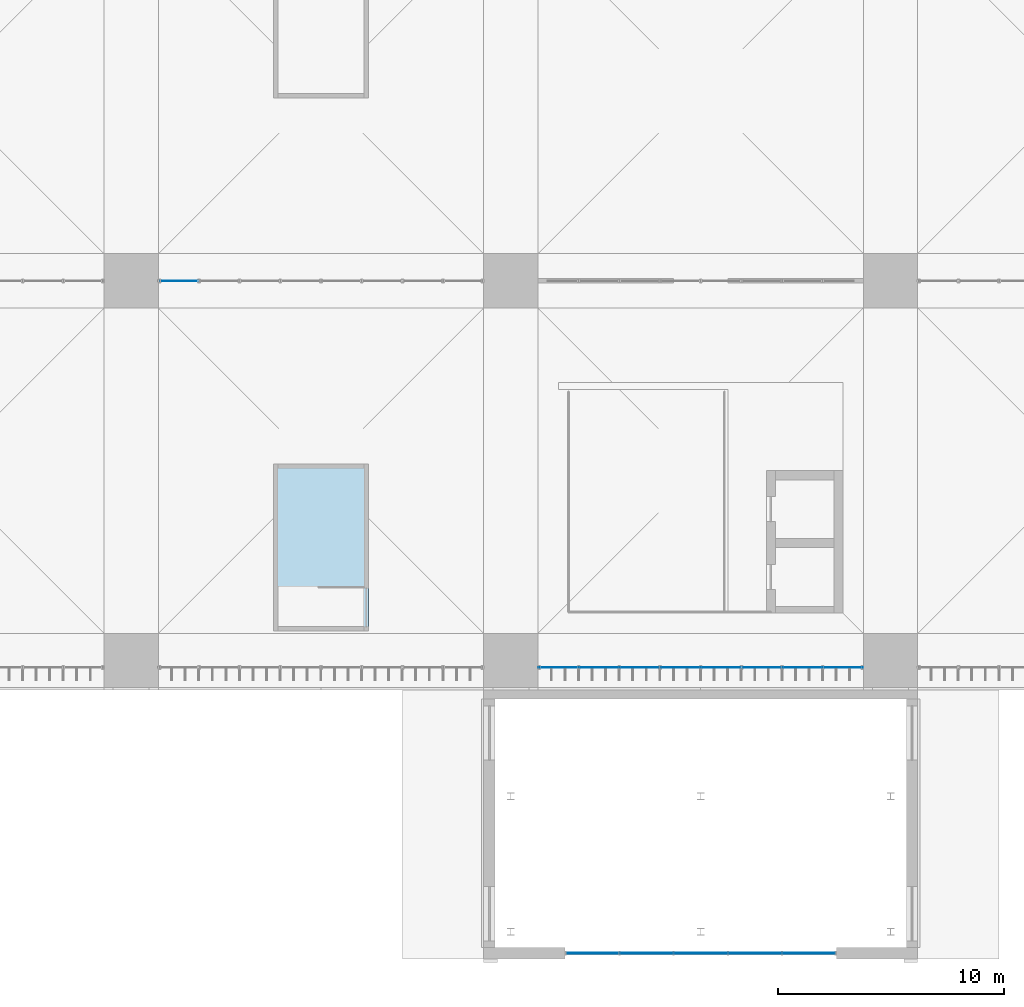
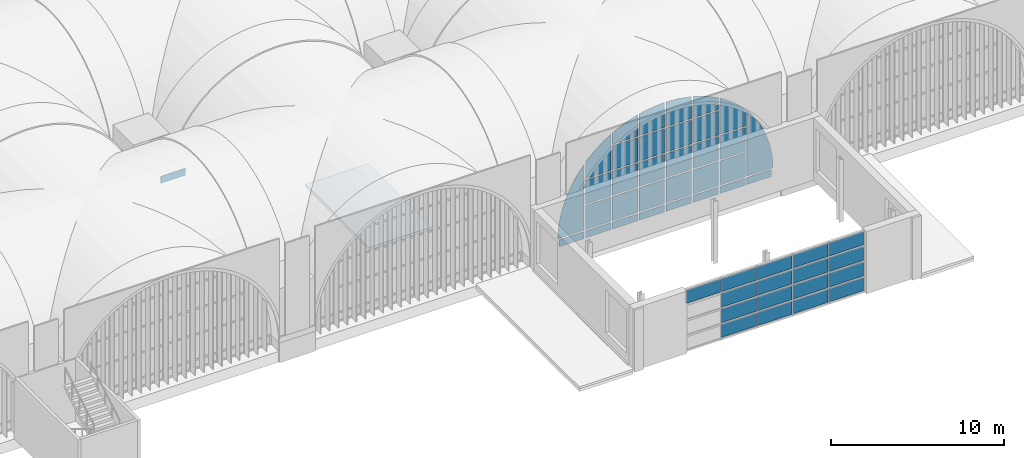
# One storey, part 81 of 169: 50 plates, 1 slab, 3 elements without a shape of their own.
"""IFC4 building model written with IfcOpenShell, lengths in metres."""

import ifcopenshell
import ifcopenshell.guid

model = None  # the IFC model being written
_history = None  # IfcOwnerHistory: only IFC2X3 demands one
_inside = {}  # id of a spatial element -> (the spatial element, [elements in it])
_under = {}  # id of a project, library or spatial element -> (it, [spatial elements below it])
_declared = {}  # id of a project -> (the project, [libraries it declares])
_typed = {}  # id of a type object -> (the type object, [elements of that type])
_made_of = {}  # id of a material, layer set ... -> (it, [elements and type objects made of it])


def new_model(schema):
    """Start an empty IFC model of exactly this schema.

    Asked for "IFC4X3", IfcOpenShell would pick the latest addendum, in which some entities
    have other attributes; the version numbers below select the first issue.
    IFC2X3 requires an IfcOwnerHistory on every rooted entity: one is made here for all.
    """
    global model, _history
    if schema == "IFC4X3":
        model = ifcopenshell.file(schema_version=(4, 3, 0, 0))
    else:
        model = ifcopenshell.file(schema=schema)
    _inside.clear()
    _under.clear()
    _declared.clear()
    _typed.clear()
    _made_of.clear()
    _history = None
    if model.schema == "IFC2X3":
        org = make("IfcOrganization", Name="unknown")
        user = make(
            "IfcPersonAndOrganization",
            ThePerson=make("IfcPerson", FamilyName="unknown"),
            TheOrganization=org,
        )
        app = make(
            "IfcApplication",
            ApplicationDeveloper=org,
            Version="unknown",
            ApplicationFullName="unknown",
            ApplicationIdentifier="unknown",
        )
        _history = make(
            "IfcOwnerHistory",
            OwningUser=user,
            OwningApplication=app,
            ChangeAction="ADDED",
            CreationDate=0,
        )
    return model


def make(cls, **values):
    """One entity of the class cls with the attributes given. An attribute that is None is left unset."""
    return model.create_entity(
        cls, **{name: value for name, value in values.items() if value is not None}
    )


def rooted(cls, **values):
    """An entity with a GlobalId (a new one), such as an element, a storey or a relation."""
    return make(cls, GlobalId=ifcopenshell.guid.new(), OwnerHistory=_history, **values)


def si_unit(unit_type, name, prefix=None):
    """IfcSIUnit, for example si_unit("LENGTHUNIT", "METRE", prefix="MILLI")."""
    return make("IfcSIUnit", UnitType=unit_type, Prefix=prefix, Name=name)


def assignment(units):
    """IfcUnitAssignment: the units of a project."""
    return None if units is None else make("IfcUnitAssignment", Units=units)


def point(xyz):
    """IfcCartesianPoint."""
    return None if xyz is None else make("IfcCartesianPoint", Coordinates=xyz)


def direction(xyz):
    """IfcDirection."""
    return None if xyz is None else make("IfcDirection", DirectionRatios=xyz)


def frame(location, z_axis=None, x_axis=None):
    """IfcAxis2Placement3D, a coordinate frame: its origin and axes. An axis left out is left unset."""
    return make(
        "IfcAxis2Placement3D",
        Location=point(location),
        Axis=direction(z_axis),
        RefDirection=direction(x_axis),
    )


def frame_2d(location, x_axis=None):
    """IfcAxis2Placement2D, a coordinate frame in the plane: its origin and x axis."""
    return make(
        "IfcAxis2Placement2D", Location=point(location), RefDirection=direction(x_axis)
    )


def origin():
    """The frame at (0, 0, 0) with its axes left unset."""
    return frame((0.0, 0.0, 0.0))


def origin_2d():
    """The frame at (0, 0) in the plane with its x axis left unset."""
    return frame_2d((0.0, 0.0))


def place(relative_to, where):
    """IfcLocalPlacement: puts the frame where relative to a parent placement (None: the world)."""
    return make(
        "IfcLocalPlacement", PlacementRelTo=relative_to, RelativePlacement=where
    )


def context(
    kind, dimensions, precision=None, world=None, true_north=None, identifier=None
):
    """IfcGeometricRepresentationContext, for example the 3D "Model" context."""
    return make(
        "IfcGeometricRepresentationContext",
        ContextIdentifier=identifier,
        ContextType=kind,
        CoordinateSpaceDimension=dimensions,
        Precision=precision,
        WorldCoordinateSystem=world,
        TrueNorth=true_north,
    )


def subcontext(parent, identifier, kind, view, scale=None):
    """IfcGeometricRepresentationSubContext, for example "Body" below "Model"."""
    return make(
        "IfcGeometricRepresentationSubContext",
        ContextIdentifier=identifier,
        ContextType=kind,
        ParentContext=parent,
        TargetScale=scale,
        TargetView=view,
    )


def project(units=None, contexts=None):
    """IfcProject with its units and contexts."""
    return rooted(
        "IfcProject",
        Name="project",
        RepresentationContexts=contexts,
        UnitsInContext=assignment(units),
    )


def spatial(cls, under=None, at=None, **own):
    """A site, building, storey or space (cls), placed at a placement, below another one or the project."""
    s = rooted(cls, ObjectPlacement=at, **own)
    if under is not None:
        _under.setdefault(under.id(), (under, []))[1].append(s)
    return s


def polyline(points):
    """IfcPolyline through the points."""
    return make("IfcPolyline", Points=[point(p) for p in points])


def profile(cls, at=None, kind="AREA", **sizes):
    """A parametric profile (cls). Its sizes go by their IFC names, for example OverallWidth=200.0."""
    return make(cls, ProfileType=kind, Position=at, **sizes)


def rectangle(**sizes):
    """IfcRectangleProfileDef."""
    return profile("IfcRectangleProfileDef", **sizes)


def outline(outer, holes=None, kind="AREA"):
    """IfcArbitraryClosedProfileDef: a profile drawn as a closed curve; with holes, ...WithVoids."""
    if holes is None:
        return make("IfcArbitraryClosedProfileDef", ProfileType=kind, OuterCurve=outer)
    return make(
        "IfcArbitraryProfileDefWithVoids",
        ProfileType=kind,
        OuterCurve=outer,
        InnerCurves=holes,
    )


def extrude(swept, where, along, depth):
    """IfcExtrudedAreaSolid: the profile swept, set in the frame where, extruded along a direction by depth."""
    return make(
        "IfcExtrudedAreaSolid",
        SweptArea=swept,
        Position=where,
        ExtrudedDirection=direction(along),
        Depth=depth,
    )


def shape(context_of_items, identifier, shape_type, items):
    """IfcShapeRepresentation: the items that make up one representation, for example the "Body"."""
    return make(
        "IfcShapeRepresentation",
        ContextOfItems=context_of_items,
        RepresentationIdentifier=identifier,
        RepresentationType=shape_type,
        Items=items,
    )


def material(Name=None, Category=None):
    """IfcMaterial."""
    return make("IfcMaterial", Name=Name, Category=Category)


def layer(
    of_material, thickness, ventilated=None, Name=None, Category=None, Priority=None
):
    """IfcMaterialLayer: one layer of a wall or slab, of a material (None: an air gap)."""
    return make(
        "IfcMaterialLayer",
        Material=of_material,
        LayerThickness=thickness,
        IsVentilated=ventilated,
        Name=Name,
        Category=Category,
        Priority=Priority,
    )


def layer_set(layers, Name=None):
    """IfcMaterialLayerSet."""
    return make("IfcMaterialLayerSet", MaterialLayers=layers, LayerSetName=Name)


def made_of(thing, what):
    """Note that an element or type object is made of a material, layer set ...; save() writes the relation."""
    if what is not None:
        _made_of.setdefault(what.id(), (what, []))[1].append(thing)
    return thing


def type_object(cls, material=None, **own):
    """A type object (cls), such as IfcWallType, which elements share."""
    return made_of(rooted(cls, **own), material)


def element(
    cls,
    number,
    at=None,
    inside=None,
    cuts=None,
    type_object=None,
    material=None,
    context=None,
    identifier="Body",
    shape_type=None,
    held_by="IfcProductDefinitionShape",
    body=None,
    shapes=None,
    **own,
):
    """One element of the class cls, such as IfcWall. Its Tag is "e" and its number.

    at: its placement. inside: the storey or other place that contains it. cuts: it is an
    opening in that element (IfcRelVoidsElement). A single representation is given by context,
    identifier, shape_type and body (its items); several are given by shapes. held_by: the class
    of the entity that holds the representations. save() writes the other relations.
    """
    e = rooted(cls, Tag="e%d" % number, ObjectPlacement=at, **own)
    if body is not None:
        shapes = [shape(context, identifier, shape_type, body)]
    if shapes is not None:
        e.Representation = make(held_by, Representations=shapes)
    if inside is not None:
        _inside.setdefault(inside.id(), (inside, []))[1].append(e)
    if cuts is not None:
        rooted(
            "IfcRelVoidsElement", RelatingBuildingElement=cuts, RelatedOpeningElement=e
        )
    if type_object is not None:
        _typed.setdefault(type_object.id(), (type_object, []))[1].append(e)
    return made_of(e, material)


def aggregate(whole, parts):
    """IfcRelAggregates: a whole, such as a stair, and the parts it consists of."""
    return rooted("IfcRelAggregates", RelatingObject=whole, RelatedObjects=parts)


def save(model, path):
    """Write the relations noted so far, then the file.

    IfcRelAggregates (storeys below a building ...), IfcRelContainedInSpatialStructure (elements
    in a storey), IfcRelDefinesByType, IfcRelAssociatesMaterial and IfcRelDeclares: one each for
    every whole, place, type object, material and project.
    """
    for whole, parts in _under.values():
        aggregate(whole, parts)
    for where, things in _inside.values():
        rooted(
            "IfcRelContainedInSpatialStructure",
            RelatedElements=things,
            RelatingStructure=where,
        )
    for kind, things in _typed.values():
        rooted("IfcRelDefinesByType", RelatedObjects=things, RelatingType=kind)
    for what, things in _made_of.values():
        rooted("IfcRelAssociatesMaterial", RelatedObjects=things, RelatingMaterial=what)
    for by, libraries in _declared.values():
        rooted("IfcRelDeclares", RelatingContext=by, RelatedDefinitions=libraries)
    model.write(path)


model = new_model("IFC4")

# Units and contexts
model_context = context("Model", 3, precision=1e-05, world=origin(), true_north=direction((0.0, 1.0)))
body_context = subcontext(model_context, "Body", "Model", "MODEL_VIEW")
ifc_project = project(units=[si_unit("LENGTHUNIT", "METRE"), si_unit("AREAUNIT", "SQUARE_METRE"), si_unit("VOLUMEUNIT", "CUBIC_METRE"), si_unit("PLANEANGLEUNIT", "RADIAN"), si_unit("MASSUNIT", "GRAM", prefix="KILO")], contexts=[model_context])

# Site, building, storey
site_placement = place(None, origin())
site = spatial("IfcSite", under=ifc_project, at=site_placement, CompositionType="ELEMENT")
building_placement = place(site_placement, origin())
building = spatial("IfcBuilding", under=site, at=building_placement, Name="Verrick Yard Athletic Hall", CompositionType="ELEMENT")
storey_placement = place(building_placement, frame((0.0, 0.0, 4.39990234375)))
storey = spatial("IfcBuildingStorey", under=building, at=storey_placement, Name="L01", CompositionType="ELEMENT", Elevation=4.39990234375)

# Slab
ifc_material_1 = material(Name="Concrete 35 MPa", Category="concrete")
ifc_layer_1 = layer(ifc_material_1, 0.199951171875)
ifc_layer_set_1 = layer_set([ifc_layer_1], Name="Core roof slab 200")
slab_type = type_object("IfcSlabType", Name="Core roof slab 200", PredefinedType="ROOF", material=ifc_layer_set_1)
slab_placement = place(storey_placement, frame((0.0, 0.0, 3.0)))
element("IfcSlab", 1, at=slab_placement, inside=storey, type_object=slab_type, Name="CORE-PS-S2-COVER", PredefinedType="ROOF", context=body_context, shape_type="SweptSolid", body=[
    extrude(outline(polyline([(79.89990234375, 20.5), (84.10009765625, 20.5), (84.10009765625, 27.89990234375), (79.89990234375, 27.89990234375), (79.89990234375, 20.5)])), origin(), (0.0, 0.0, 1.0), 0.2001953125),
])

# Curtain wall, plates
ifc_material_2 = material(Name="Aluminium and glass curtain wall", Category="aluminium")
ifc_layer_2 = layer(ifc_material_2, 0.14990234375)
ifc_layer_set_2 = layer_set([ifc_layer_2], Name="Arcade glazing arch")
curtain_wall_type_1 = type_object("IfcCurtainWallType", Name="Arcade glazing arch", PredefinedType="NOTDEFINED", material=ifc_layer_set_2)
curtain_wall_1_placement = place(storey_placement, origin())
curtain_wall_1 = element("IfcCurtainWall", 2, at=curtain_wall_1_placement, inside=storey, type_object=curtain_wall_type_1, Name="Arcade glazing S4", PredefinedType="NOTDEFINED")
ifc_material_3 = material(Name="Laminated glass 28 mm", Category="glass")
ifc_layer_3 = layer(ifc_material_3, 0.028076171875)
ifc_layer_set_3 = layer_set([ifc_layer_3], Name="Curtain wall glass panel")
plate_type_1 = type_object("IfcPlateType", Name="Curtain wall glass panel", PredefinedType="CURTAIN_PANEL", material=ifc_layer_set_3)
plate_1_placement = place(storey_placement, frame((91.60009765625, 18.89990234375, 0.101806640625), z_axis=(0.0, 0.0, 1.0), x_axis=(1.0, 0.0, 0.0)))
plate_1 = element("IfcPlate", 3, at=plate_1_placement, type_object=plate_type_1, Name="Arcade glazing S4 panel 1", PredefinedType="CURTAIN_PANEL", context=body_context, shape_type="SweptSolid", body=[
    extrude(outline(polyline([(1.749267578125, 0.0), (1.749267578125, 0.49755859375), (0.10205078125, 0.49755859375), (0.10205078125, 0.0), (1.749267578125, 0.0)])), frame((0.0, 0.01416015625, 0.0), z_axis=(0.0, -1.0, 0.0), x_axis=(1.0, 0.0, 0.0)), (0.0, 0.0, 1.0), 0.028076171875),
])
plate_2_placement = place(storey_placement, frame((91.60009765625, 18.89990234375, 0.700927734375), z_axis=(0.0, 0.0, 1.0), x_axis=(1.0, 0.0, 0.0)))
plate_2 = element("IfcPlate", 4, at=plate_2_placement, type_object=plate_type_1, Name="Arcade glazing S4 panel 2", PredefinedType="CURTAIN_PANEL", context=body_context, shape_type="SweptSolid", body=[
    extrude(outline(polyline([(1.749267578125, 4.651123046875), (1.6845703125, 4.5771484375), (1.48779296875, 4.332275390625), (1.302001953125, 4.078857421875), (1.127685546875, 3.81787109375), (0.964599609375, 3.549072265625), (0.8134765625, 3.273681640625), (0.674560546875, 2.9921875), (0.548095703125, 2.70458984375), (0.43408203125, 2.41162109375), (0.333251953125, 2.1142578125), (0.245361328125, 1.812744140625), (0.170654296875, 1.507568359375), (0.109375, 1.199462890625), (0.0615234375, 0.888916015625), (0.02734375, 0.57666015625), (0.0068359375, 0.26318359375), (0.001220703125, 0.0), (1.749267578125, 0.0), (1.749267578125, 4.651123046875)])), frame((0.0, 0.01416015625, 0.0), z_axis=(0.0, -1.0, 0.0), x_axis=(1.0, 0.0, 0.0)), (0.0, 0.0, 1.0), 0.028076171875),
])
plate_3_placement = place(storey_placement, frame((91.60009765625, 18.89990234375, 0.101806640625), z_axis=(0.0, 0.0, 1.0), x_axis=(1.0, 0.0, 0.0)))
plate_3 = element("IfcPlate", 5, at=plate_3_placement, type_object=plate_type_1, Name="Arcade glazing S4 panel 3", PredefinedType="CURTAIN_PANEL", context=body_context, shape_type="SweptSolid", body=[
    extrude(outline(polyline([(3.54931640625, 0.0), (3.54931640625, 0.49755859375), (1.850830078125, 0.49755859375), (1.850830078125, 0.0), (3.54931640625, 0.0)])), frame((0.0, 0.01416015625, 0.0), z_axis=(0.0, -1.0, 0.0), x_axis=(1.0, 0.0, 0.0)), (0.0, 0.0, 1.0), 0.028076171875),
])
plate_4_placement = place(storey_placement, frame((91.60009765625, 18.89990234375, 0.700927734375), z_axis=(0.0, 0.0, 1.0), x_axis=(1.0, 0.0, 0.0)))
plate_4 = element("IfcPlate", 6, at=plate_4_placement, type_object=plate_type_1, Name="Arcade glazing S4 panel 4", PredefinedType="CURTAIN_PANEL", context=body_context, shape_type="SweptSolid", body=[
    extrude(outline(polyline([(3.54931640625, 0.0), (3.54931640625, 1.698486328125), (1.850830078125, 1.698486328125), (1.850830078125, 0.0), (3.54931640625, 0.0)])), frame((0.0, 0.01416015625, 0.0), z_axis=(0.0, -1.0, 0.0), x_axis=(1.0, 0.0, 0.0)), (0.0, 0.0, 1.0), 0.028076171875),
])
plate_5_placement = place(storey_placement, frame((91.60009765625, 18.89990234375, 2.5009765625), z_axis=(0.0, 0.0, 1.0), x_axis=(1.0, 0.0, 0.0)))
plate_5 = element("IfcPlate", 7, at=plate_5_placement, type_object=plate_type_1, Name="Arcade glazing S4 panel 5", PredefinedType="CURTAIN_PANEL", context=body_context, shape_type="SweptSolid", body=[
    extrude(outline(polyline([(3.54931640625, 0.0), (3.54931640625, 1.6982421875), (1.850830078125, 1.6982421875), (1.850830078125, 0.0), (3.54931640625, 0.0)])), frame((0.0, 0.01416015625, 0.0), z_axis=(0.0, -1.0, 0.0), x_axis=(1.0, 0.0, 0.0)), (0.0, 0.0, 1.0), 0.028076171875),
])
plate_6_placement = place(storey_placement, frame((91.60009765625, 18.89990234375, 4.30078125), z_axis=(0.0, 0.0, 1.0), x_axis=(1.0, 0.0, 0.0)))
plate_6 = element("IfcPlate", 8, at=plate_6_placement, type_object=plate_type_1, Name="Arcade glazing S4 panel 6", PredefinedType="CURTAIN_PANEL", context=body_context, shape_type="SweptSolid", body=[
    extrude(outline(polyline([(3.54931640625, 2.553955078125), (3.331298828125, 2.421630859375), (3.0703125, 2.247314453125), (2.81689453125, 2.0615234375), (2.572021484375, 1.86474609375), (2.335693359375, 1.65771484375), (2.10888671875, 1.4404296875), (1.8916015625, 1.213623046875), (1.850830078125, 1.1669921875), (1.850830078125, 0.0), (3.54931640625, 0.0), (3.54931640625, 2.553955078125)])), frame((0.0, 0.01416015625, 0.0), z_axis=(0.0, -1.0, 0.0), x_axis=(1.0, 0.0, 0.0)), (0.0, 0.0, 1.0), 0.028076171875),
])
plate_7_placement = place(storey_placement, frame((91.60009765625, 18.89990234375, 0.101806640625), z_axis=(0.0, 0.0, 1.0), x_axis=(1.0, 0.0, 0.0)))
plate_7 = element("IfcPlate", 9, at=plate_7_placement, type_object=plate_type_1, Name="Arcade glazing S4 panel 7", PredefinedType="CURTAIN_PANEL", context=body_context, shape_type="SweptSolid", body=[
    extrude(outline(polyline([(5.34912109375, 0.0), (5.34912109375, 0.49755859375), (3.65087890625, 0.49755859375), (3.65087890625, 0.0), (5.34912109375, 0.0)])), frame((0.0, 0.01416015625, 0.0), z_axis=(0.0, -1.0, 0.0), x_axis=(1.0, 0.0, 0.0)), (0.0, 0.0, 1.0), 0.028076171875),
])
plate_8_placement = place(storey_placement, frame((91.60009765625, 18.89990234375, 0.700927734375), z_axis=(0.0, 0.0, 1.0), x_axis=(1.0, 0.0, 0.0)))
plate_8 = element("IfcPlate", 10, at=plate_8_placement, type_object=plate_type_1, Name="Arcade glazing S4 panel 8", PredefinedType="CURTAIN_PANEL", context=body_context, shape_type="SweptSolid", body=[
    extrude(outline(polyline([(5.34912109375, 0.0), (5.34912109375, 1.698486328125), (3.65087890625, 1.698486328125), (3.65087890625, 0.0), (5.34912109375, 0.0)])), frame((0.0, 0.01416015625, 0.0), z_axis=(0.0, -1.0, 0.0), x_axis=(1.0, 0.0, 0.0)), (0.0, 0.0, 1.0), 0.028076171875),
])
plate_9_placement = place(storey_placement, frame((91.60009765625, 18.89990234375, 2.5009765625), z_axis=(0.0, 0.0, 1.0), x_axis=(1.0, 0.0, 0.0)))
plate_9 = element("IfcPlate", 11, at=plate_9_placement, type_object=plate_type_1, Name="Arcade glazing S4 panel 9", PredefinedType="CURTAIN_PANEL", context=body_context, shape_type="SweptSolid", body=[
    extrude(outline(polyline([(5.34912109375, 0.0), (5.34912109375, 1.6982421875), (3.65087890625, 1.6982421875), (3.65087890625, 0.0), (5.34912109375, 0.0)])), frame((0.0, 0.01416015625, 0.0), z_axis=(0.0, -1.0, 0.0), x_axis=(1.0, 0.0, 0.0)), (0.0, 0.0, 1.0), 0.028076171875),
])
plate_10_placement = place(storey_placement, frame((91.60009765625, 18.89990234375, 4.30078125), z_axis=(0.0, 0.0, 1.0), x_axis=(1.0, 0.0, 0.0)))
plate_10 = element("IfcPlate", 12, at=plate_10_placement, type_object=plate_type_1, Name="Arcade glazing S4 panel 10", PredefinedType="CURTAIN_PANEL", context=body_context, shape_type="SweptSolid", body=[
    extrude(outline(polyline([(5.34912109375, 0.0), (5.34912109375, 1.698486328125), (3.65087890625, 1.698486328125), (3.65087890625, 0.0), (5.34912109375, 0.0)])), frame((0.0, 0.01416015625, 0.0), z_axis=(0.0, -1.0, 0.0), x_axis=(1.0, 0.0, 0.0)), (0.0, 0.0, 1.0), 0.028076171875),
])
plate_11_placement = place(storey_placement, frame((91.60009765625, 18.89990234375, 6.100830078125), z_axis=(0.0, 0.0, 1.0), x_axis=(1.0, 0.0, 0.0)))
plate_11 = element("IfcPlate", 13, at=plate_11_placement, type_object=plate_type_1, Name="Arcade glazing S4 panel 11", PredefinedType="CURTAIN_PANEL", context=body_context, shape_type="SweptSolid", body=[
    extrude(outline(polyline([(5.34912109375, 1.507080078125), (5.33642578125, 1.50390625), (5.034912109375, 1.416015625), (4.737548828125, 1.315185546875), (4.444580078125, 1.201171875), (4.156982421875, 1.07470703125), (3.87548828125, 0.935791015625), (3.65087890625, 0.8125), (3.65087890625, 0.0), (5.34912109375, 0.0), (5.34912109375, 1.507080078125)])), frame((0.0, 0.01416015625, 0.0), z_axis=(0.0, -1.0, 0.0), x_axis=(1.0, 0.0, 0.0)), (0.0, 0.0, 1.0), 0.028076171875),
])
plate_12_placement = place(storey_placement, frame((91.60009765625, 18.89990234375, 0.101806640625), z_axis=(0.0, 0.0, 1.0), x_axis=(1.0, 0.0, 0.0)))
plate_12 = element("IfcPlate", 14, at=plate_12_placement, type_object=plate_type_1, Name="Arcade glazing S4 panel 12", PredefinedType="CURTAIN_PANEL", context=body_context, shape_type="SweptSolid", body=[
    extrude(outline(polyline([(7.149169921875, 0.0), (7.149169921875, 0.49755859375), (5.45068359375, 0.49755859375), (5.45068359375, 0.0), (7.149169921875, 0.0)])), frame((0.0, 0.01416015625, 0.0), z_axis=(0.0, -1.0, 0.0), x_axis=(1.0, 0.0, 0.0)), (0.0, 0.0, 1.0), 0.028076171875),
])
plate_13_placement = place(storey_placement, frame((91.60009765625, 18.89990234375, 0.700927734375), z_axis=(0.0, 0.0, 1.0), x_axis=(1.0, 0.0, 0.0)))
plate_13 = element("IfcPlate", 15, at=plate_13_placement, type_object=plate_type_1, Name="Arcade glazing S4 panel 13", PredefinedType="CURTAIN_PANEL", context=body_context, shape_type="SweptSolid", body=[
    extrude(outline(polyline([(7.149169921875, 0.0), (7.149169921875, 1.698486328125), (5.45068359375, 1.698486328125), (5.45068359375, 0.0), (7.149169921875, 0.0)])), frame((0.0, 0.01416015625, 0.0), z_axis=(0.0, -1.0, 0.0), x_axis=(1.0, 0.0, 0.0)), (0.0, 0.0, 1.0), 0.028076171875),
])
plate_14_placement = place(storey_placement, frame((91.60009765625, 18.89990234375, 2.5009765625), z_axis=(0.0, 0.0, 1.0), x_axis=(1.0, 0.0, 0.0)))
plate_14 = element("IfcPlate", 16, at=plate_14_placement, type_object=plate_type_1, Name="Arcade glazing S4 panel 14", PredefinedType="CURTAIN_PANEL", context=body_context, shape_type="SweptSolid", body=[
    extrude(outline(polyline([(7.149169921875, 0.0), (7.149169921875, 1.6982421875), (5.45068359375, 1.6982421875), (5.45068359375, 0.0), (7.149169921875, 0.0)])), frame((0.0, 0.01416015625, 0.0), z_axis=(0.0, -1.0, 0.0), x_axis=(1.0, 0.0, 0.0)), (0.0, 0.0, 1.0), 0.028076171875),
])
plate_15_placement = place(storey_placement, frame((91.60009765625, 18.89990234375, 4.30078125), z_axis=(0.0, 0.0, 1.0), x_axis=(1.0, 0.0, 0.0)))
plate_15 = element("IfcPlate", 17, at=plate_15_placement, type_object=plate_type_1, Name="Arcade glazing S4 panel 15", PredefinedType="CURTAIN_PANEL", context=body_context, shape_type="SweptSolid", body=[
    extrude(outline(polyline([(7.149169921875, 0.0), (7.149169921875, 1.698486328125), (5.45068359375, 1.698486328125), (5.45068359375, 0.0), (7.149169921875, 0.0)])), frame((0.0, 0.01416015625, 0.0), z_axis=(0.0, -1.0, 0.0), x_axis=(1.0, 0.0, 0.0)), (0.0, 0.0, 1.0), 0.028076171875),
])
plate_16_placement = place(storey_placement, frame((91.60009765625, 18.89990234375, 6.100830078125), z_axis=(0.0, 0.0, 1.0), x_axis=(1.0, 0.0, 0.0)))
plate_16 = element("IfcPlate", 18, at=plate_16_placement, type_object=plate_type_1, Name="Arcade glazing S4 panel 16", PredefinedType="CURTAIN_PANEL", context=body_context, shape_type="SweptSolid", body=[
    extrude(outline(polyline([(7.149169921875, 1.748046875), (6.885986328125, 1.742431640625), (6.572509765625, 1.721923828125), (6.26025390625, 1.687744140625), (5.94970703125, 1.639892578125), (5.6416015625, 1.57861328125), (5.45068359375, 1.531982421875), (5.45068359375, 0.0), (7.149169921875, 0.0), (7.149169921875, 1.748046875)])), frame((0.0, 0.01416015625, 0.0), z_axis=(0.0, -1.0, 0.0), x_axis=(1.0, 0.0, 0.0)), (0.0, 0.0, 1.0), 0.028076171875),
])
plate_17_placement = place(storey_placement, frame((91.60009765625, 18.89990234375, 0.101806640625), z_axis=(0.0, 0.0, 1.0), x_axis=(1.0, 0.0, 0.0)))
plate_17 = element("IfcPlate", 19, at=plate_17_placement, type_object=plate_type_1, Name="Arcade glazing S4 panel 17", PredefinedType="CURTAIN_PANEL", context=body_context, shape_type="SweptSolid", body=[
    extrude(outline(polyline([(8.94921875, 0.0), (8.94921875, 0.49755859375), (7.250732421875, 0.49755859375), (7.250732421875, 0.0), (8.94921875, 0.0)])), frame((0.0, 0.01416015625, 0.0), z_axis=(0.0, -1.0, 0.0), x_axis=(1.0, 0.0, 0.0)), (0.0, 0.0, 1.0), 0.028076171875),
])
plate_18_placement = place(storey_placement, frame((91.60009765625, 18.89990234375, 0.700927734375), z_axis=(0.0, 0.0, 1.0), x_axis=(1.0, 0.0, 0.0)))
plate_18 = element("IfcPlate", 20, at=plate_18_placement, type_object=plate_type_1, Name="Arcade glazing S4 panel 18", PredefinedType="CURTAIN_PANEL", context=body_context, shape_type="SweptSolid", body=[
    extrude(outline(polyline([(8.94921875, 0.0), (8.94921875, 1.698486328125), (7.250732421875, 1.698486328125), (7.250732421875, 0.0), (8.94921875, 0.0)])), frame((0.0, 0.01416015625, 0.0), z_axis=(0.0, -1.0, 0.0), x_axis=(1.0, 0.0, 0.0)), (0.0, 0.0, 1.0), 0.028076171875),
])
plate_19_placement = place(storey_placement, frame((91.60009765625, 18.89990234375, 2.5009765625), z_axis=(0.0, 0.0, 1.0), x_axis=(1.0, 0.0, 0.0)))
plate_19 = element("IfcPlate", 21, at=plate_19_placement, type_object=plate_type_1, Name="Arcade glazing S4 panel 19", PredefinedType="CURTAIN_PANEL", context=body_context, shape_type="SweptSolid", body=[
    extrude(outline(polyline([(8.94921875, 0.0), (8.94921875, 1.6982421875), (7.250732421875, 1.6982421875), (7.250732421875, 0.0), (8.94921875, 0.0)])), frame((0.0, 0.01416015625, 0.0), z_axis=(0.0, -1.0, 0.0), x_axis=(1.0, 0.0, 0.0)), (0.0, 0.0, 1.0), 0.028076171875),
])
plate_20_placement = place(storey_placement, frame((91.60009765625, 18.89990234375, 4.30078125), z_axis=(0.0, 0.0, 1.0), x_axis=(1.0, 0.0, 0.0)))
plate_20 = element("IfcPlate", 22, at=plate_20_placement, type_object=plate_type_1, Name="Arcade glazing S4 panel 20", PredefinedType="CURTAIN_PANEL", context=body_context, shape_type="SweptSolid", body=[
    extrude(outline(polyline([(8.94921875, 0.0), (8.94921875, 1.698486328125), (7.250732421875, 1.698486328125), (7.250732421875, 0.0), (8.94921875, 0.0)])), frame((0.0, 0.01416015625, 0.0), z_axis=(0.0, -1.0, 0.0), x_axis=(1.0, 0.0, 0.0)), (0.0, 0.0, 1.0), 0.028076171875),
])
plate_21_placement = place(storey_placement, frame((91.60009765625, 18.89990234375, 6.100830078125), z_axis=(0.0, 0.0, 1.0), x_axis=(1.0, 0.0, 0.0)))
plate_21 = element("IfcPlate", 23, at=plate_21_placement, type_object=plate_type_1, Name="Arcade glazing S4 panel 21", PredefinedType="CURTAIN_PANEL", context=body_context, shape_type="SweptSolid", body=[
    extrude(outline(polyline([(8.94921875, 1.531982421875), (8.75830078125, 1.57861328125), (8.4501953125, 1.639892578125), (8.139892578125, 1.687744140625), (7.827392578125, 1.721923828125), (7.51416015625, 1.742431640625), (7.250732421875, 1.748046875), (7.250732421875, 0.0), (8.94921875, 0.0), (8.94921875, 1.531982421875)])), frame((0.0, 0.01416015625, 0.0), z_axis=(0.0, -1.0, 0.0), x_axis=(1.0, 0.0, 0.0)), (0.0, 0.0, 1.0), 0.028076171875),
])
plate_22_placement = place(storey_placement, frame((91.60009765625, 18.89990234375, 0.101806640625), z_axis=(0.0, 0.0, 1.0), x_axis=(1.0, 0.0, 0.0)))
plate_22 = element("IfcPlate", 24, at=plate_22_placement, type_object=plate_type_1, Name="Arcade glazing S4 panel 22", PredefinedType="CURTAIN_PANEL", context=body_context, shape_type="SweptSolid", body=[
    extrude(outline(polyline([(10.749267578125, 0.0), (10.749267578125, 0.49755859375), (9.05078125, 0.49755859375), (9.05078125, 0.0), (10.749267578125, 0.0)])), frame((0.0, 0.01416015625, 0.0), z_axis=(0.0, -1.0, 0.0), x_axis=(1.0, 0.0, 0.0)), (0.0, 0.0, 1.0), 0.028076171875),
])
plate_23_placement = place(storey_placement, frame((91.60009765625, 18.89990234375, 0.700927734375), z_axis=(0.0, 0.0, 1.0), x_axis=(1.0, 0.0, 0.0)))
plate_23 = element("IfcPlate", 25, at=plate_23_placement, type_object=plate_type_1, Name="Arcade glazing S4 panel 23", PredefinedType="CURTAIN_PANEL", context=body_context, shape_type="SweptSolid", body=[
    extrude(outline(polyline([(10.749267578125, 0.0), (10.749267578125, 1.698486328125), (9.05078125, 1.698486328125), (9.05078125, 0.0), (10.749267578125, 0.0)])), frame((0.0, 0.01416015625, 0.0), z_axis=(0.0, -1.0, 0.0), x_axis=(1.0, 0.0, 0.0)), (0.0, 0.0, 1.0), 0.028076171875),
])
plate_24_placement = place(storey_placement, frame((91.60009765625, 18.89990234375, 2.5009765625), z_axis=(0.0, 0.0, 1.0), x_axis=(1.0, 0.0, 0.0)))
plate_24 = element("IfcPlate", 26, at=plate_24_placement, type_object=plate_type_1, Name="Arcade glazing S4 panel 24", PredefinedType="CURTAIN_PANEL", context=body_context, shape_type="SweptSolid", body=[
    extrude(outline(polyline([(10.749267578125, 0.0), (10.749267578125, 1.6982421875), (9.05078125, 1.6982421875), (9.05078125, 0.0), (10.749267578125, 0.0)])), frame((0.0, 0.01416015625, 0.0), z_axis=(0.0, -1.0, 0.0), x_axis=(1.0, 0.0, 0.0)), (0.0, 0.0, 1.0), 0.028076171875),
])
plate_25_placement = place(storey_placement, frame((91.60009765625, 18.89990234375, 4.30078125), z_axis=(0.0, 0.0, 1.0), x_axis=(1.0, 0.0, 0.0)))
plate_25 = element("IfcPlate", 27, at=plate_25_placement, type_object=plate_type_1, Name="Arcade glazing S4 panel 25", PredefinedType="CURTAIN_PANEL", context=body_context, shape_type="SweptSolid", body=[
    extrude(outline(polyline([(10.749267578125, 0.0), (10.749267578125, 1.698486328125), (9.05078125, 1.698486328125), (9.05078125, 0.0), (10.749267578125, 0.0)])), frame((0.0, 0.01416015625, 0.0), z_axis=(0.0, -1.0, 0.0), x_axis=(1.0, 0.0, 0.0)), (0.0, 0.0, 1.0), 0.028076171875),
])
plate_26_placement = place(storey_placement, frame((91.60009765625, 18.89990234375, 6.100830078125), z_axis=(0.0, 0.0, 1.0), x_axis=(1.0, 0.0, 0.0)))
plate_26 = element("IfcPlate", 28, at=plate_26_placement, type_object=plate_type_1, Name="Arcade glazing S4 panel 26", PredefinedType="CURTAIN_PANEL", context=body_context, shape_type="SweptSolid", body=[
    extrude(outline(polyline([(10.749267578125, 0.8125), (10.524658203125, 0.935791015625), (10.242919921875, 1.07470703125), (9.955322265625, 1.201171875), (9.66259765625, 1.315185546875), (9.364990234375, 1.416015625), (9.0634765625, 1.50390625), (9.05078125, 1.507080078125), (9.05078125, 0.0), (10.749267578125, 0.0), (10.749267578125, 0.8125)])), frame((0.0, 0.01416015625, 0.0), z_axis=(0.0, -1.0, 0.0), x_axis=(1.0, 0.0, 0.0)), (0.0, 0.0, 1.0), 0.028076171875),
])
plate_27_placement = place(storey_placement, frame((91.60009765625, 18.89990234375, 0.101806640625), z_axis=(0.0, 0.0, 1.0), x_axis=(1.0, 0.0, 0.0)))
plate_27 = element("IfcPlate", 29, at=plate_27_placement, type_object=plate_type_1, Name="Arcade glazing S4 panel 27", PredefinedType="CURTAIN_PANEL", context=body_context, shape_type="SweptSolid", body=[
    extrude(outline(polyline([(12.54931640625, 0.0), (12.54931640625, 0.49755859375), (10.850830078125, 0.49755859375), (10.850830078125, 0.0), (12.54931640625, 0.0)])), frame((0.0, 0.01416015625, 0.0), z_axis=(0.0, -1.0, 0.0), x_axis=(1.0, 0.0, 0.0)), (0.0, 0.0, 1.0), 0.028076171875),
])
plate_28_placement = place(storey_placement, frame((91.60009765625, 18.89990234375, 0.700927734375), z_axis=(0.0, 0.0, 1.0), x_axis=(1.0, 0.0, 0.0)))
plate_28 = element("IfcPlate", 30, at=plate_28_placement, type_object=plate_type_1, Name="Arcade glazing S4 panel 28", PredefinedType="CURTAIN_PANEL", context=body_context, shape_type="SweptSolid", body=[
    extrude(outline(polyline([(12.54931640625, 0.0), (12.54931640625, 1.698486328125), (10.850830078125, 1.698486328125), (10.850830078125, 0.0), (12.54931640625, 0.0)])), frame((0.0, 0.01416015625, 0.0), z_axis=(0.0, -1.0, 0.0), x_axis=(1.0, 0.0, 0.0)), (0.0, 0.0, 1.0), 0.028076171875),
])
plate_29_placement = place(storey_placement, frame((91.60009765625, 18.89990234375, 2.5009765625), z_axis=(0.0, 0.0, 1.0), x_axis=(1.0, 0.0, 0.0)))
plate_29 = element("IfcPlate", 31, at=plate_29_placement, type_object=plate_type_1, Name="Arcade glazing S4 panel 29", PredefinedType="CURTAIN_PANEL", context=body_context, shape_type="SweptSolid", body=[
    extrude(outline(polyline([(12.54931640625, 0.0), (12.54931640625, 1.6982421875), (10.850830078125, 1.6982421875), (10.850830078125, 0.0), (12.54931640625, 0.0)])), frame((0.0, 0.01416015625, 0.0), z_axis=(0.0, -1.0, 0.0), x_axis=(1.0, 0.0, 0.0)), (0.0, 0.0, 1.0), 0.028076171875),
])
plate_30_placement = place(storey_placement, frame((91.60009765625, 18.89990234375, 4.30078125), z_axis=(0.0, 0.0, 1.0), x_axis=(1.0, 0.0, 0.0)))
plate_30 = element("IfcPlate", 32, at=plate_30_placement, type_object=plate_type_1, Name="Arcade glazing S4 panel 30", PredefinedType="CURTAIN_PANEL", context=body_context, shape_type="SweptSolid", body=[
    extrude(outline(polyline([(12.54931640625, 1.1669921875), (12.50830078125, 1.213623046875), (12.291259765625, 1.4404296875), (12.064208984375, 1.65771484375), (11.828125, 1.86474609375), (11.5830078125, 2.0615234375), (11.329833984375, 2.247314453125), (11.068603515625, 2.421630859375), (10.850830078125, 2.553955078125), (10.850830078125, 0.0), (12.54931640625, 0.0), (12.54931640625, 1.1669921875)])), frame((0.0, 0.01416015625, 0.0), z_axis=(0.0, -1.0, 0.0), x_axis=(1.0, 0.0, 0.0)), (0.0, 0.0, 1.0), 0.028076171875),
])
plate_31_placement = place(storey_placement, frame((91.60009765625, 18.89990234375, 0.101806640625), z_axis=(0.0, 0.0, 1.0), x_axis=(1.0, 0.0, 0.0)))
plate_31 = element("IfcPlate", 33, at=plate_31_placement, type_object=plate_type_1, Name="Arcade glazing S4 panel 31", PredefinedType="CURTAIN_PANEL", context=body_context, shape_type="SweptSolid", body=[
    extrude(outline(polyline([(14.2978515625, 0.0), (14.2978515625, 0.49755859375), (12.65087890625, 0.49755859375), (12.65087890625, 0.0), (14.2978515625, 0.0)])), frame((0.0, 0.01416015625, 0.0), z_axis=(0.0, -1.0, 0.0), x_axis=(1.0, 0.0, 0.0)), (0.0, 0.0, 1.0), 0.028076171875),
])
plate_32_placement = place(storey_placement, frame((91.60009765625, 18.89990234375, 0.700927734375), z_axis=(0.0, 0.0, 1.0), x_axis=(1.0, 0.0, 0.0)))
plate_32 = element("IfcPlate", 34, at=plate_32_placement, type_object=plate_type_1, Name="Arcade glazing S4 panel 32", PredefinedType="CURTAIN_PANEL", context=body_context, shape_type="SweptSolid", body=[
    extrude(outline(polyline([(14.39892578125, 0.0), (14.39306640625, 0.26318359375), (14.37255859375, 0.57666015625), (14.33837890625, 0.888916015625), (14.29052734375, 1.199462890625), (14.229248046875, 1.507568359375), (14.15478515625, 1.812744140625), (14.06689453125, 2.1142578125), (13.9658203125, 2.41162109375), (13.851806640625, 2.70458984375), (13.725341796875, 2.9921875), (13.58642578125, 3.273681640625), (13.435302734375, 3.549072265625), (13.2724609375, 3.81787109375), (13.097900390625, 4.078857421875), (12.912109375, 4.332275390625), (12.715576171875, 4.5771484375), (12.65087890625, 4.651123046875), (12.65087890625, 0.0), (14.39892578125, 0.0)])), frame((0.0, 0.01416015625, 0.0), z_axis=(0.0, -1.0, 0.0), x_axis=(1.0, 0.0, 0.0)), (0.0, 0.0, 1.0), 0.028076171875),
])
aggregate(curtain_wall_1, [plate_1, plate_2, plate_3, plate_4, plate_5, plate_6, plate_7, plate_8, plate_9, plate_10, plate_11, plate_12, plate_13, plate_14, plate_15, plate_16, plate_17, plate_18, plate_19, plate_20, plate_21, plate_22, plate_23, plate_24, plate_25, plate_26, plate_27, plate_28, plate_29, plate_30, plate_31, plate_32])

# Curtain wall, plate
ifc_layer_4 = layer(ifc_material_2, 0.14990234375)
ifc_layer_set_4 = layer_set([ifc_layer_4], Name="Concourse arch screen")
curtain_wall_type_2 = type_object("IfcCurtainWallType", Name="Concourse arch screen", PredefinedType="NOTDEFINED", material=ifc_layer_set_4)
curtain_wall_2_placement = place(storey_placement, origin())
curtain_wall_2 = element("IfcCurtainWall", 35, at=curtain_wall_2_placement, inside=storey, type_object=curtain_wall_type_2, Name="Concourse screen 3", PredefinedType="NOTDEFINED")
plate_33_placement = place(storey_placement, frame((74.800048828125, 36.0, 0.101806640625), z_axis=(0.0, 0.0, 1.0), x_axis=(1.0, 0.0, 0.0)))
plate_33 = element("IfcPlate", 36, at=plate_33_placement, type_object=plate_type_1, Name="Concourse screen 3 panel 1", PredefinedType="CURTAIN_PANEL", context=body_context, shape_type="SweptSolid", body=[
    extrude(outline(polyline([(1.749267578125, 0.0), (1.749267578125, 0.49755859375), (0.10205078125, 0.49755859375), (0.10205078125, 0.0), (1.749267578125, 0.0)])), frame((0.0, 0.01416015625, 0.0), z_axis=(0.0, -1.0, 0.0), x_axis=(1.0, 0.0, 0.0)), (0.0, 0.0, 1.0), 0.028076171875),
])
aggregate(curtain_wall_2, [plate_33])

# Curtain wall, plates
ifc_material_4 = material(Name="Anodised aluminium", Category="aluminium")
ifc_layer_5 = layer(ifc_material_4, 0.199951171875)
ifc_layer_set_5 = layer_set([ifc_layer_5], Name="Front glazing")
curtain_wall_type_3 = type_object("IfcCurtainWallType", Name="Front glazing", PredefinedType="NOTDEFINED", material=ifc_layer_set_5)
curtain_wall_3_placement = place(storey_placement, origin())
curtain_wall_3 = element("IfcCurtainWall", 37, at=curtain_wall_3_placement, inside=storey, type_object=curtain_wall_type_3, Name="ENVB-FY-S-CW", PredefinedType="NOTDEFINED")
ifc_material_5 = material(Name="Glass IGU low-e", Category="glass")
ifc_layer_6 = layer(ifc_material_5, 0.03125)
ifc_layer_set_6 = layer_set([ifc_layer_6], Name="Glazing panel 31")
plate_type_2 = type_object("IfcPlateType", Name="Glazing panel 31", PredefinedType="CURTAIN_PANEL", material=ifc_layer_set_6)
plate_34_placement = place(storey_placement, frame((94.014892578125, 6.25, 3.360107421875), z_axis=(0.0, 0.0, 1.0), x_axis=(1.0, 0.0, 0.0)))
plate_34 = element("IfcPlate", 38, at=plate_34_placement, type_object=plate_type_2, Name="ENVB-FY-S-CW/P00-03", PredefinedType="CURTAIN_PANEL", context=body_context, shape_type="SweptSolid", body=[
    extrude(rectangle(XDim=2.31005859375, YDim=0.03125, at=origin_2d()), origin(), (0.0, 0.0, 1.0), 0.919921875),
])
plate_35_placement = place(storey_placement, frame((96.39990234375, 6.25, 0.1201171875), z_axis=(0.0, 0.0, 1.0), x_axis=(1.0, 0.0, 0.0)))
plate_35 = element("IfcPlate", 39, at=plate_35_placement, type_object=plate_type_2, Name="ENVB-FY-S-CW/P01-00", PredefinedType="CURTAIN_PANEL", context=body_context, shape_type="SweptSolid", body=[
    extrude(rectangle(XDim=2.340087890625, YDim=0.03125, at=origin_2d()), origin(), (0.0, 0.0, 1.0), 0.919921875),
])
plate_36_placement = place(storey_placement, frame((96.39990234375, 6.25, 1.16015625), z_axis=(0.0, 0.0, 1.0), x_axis=(1.0, 0.0, 0.0)))
plate_36 = element("IfcPlate", 40, at=plate_36_placement, type_object=plate_type_2, Name="ENVB-FY-S-CW/P01-01", PredefinedType="CURTAIN_PANEL", context=body_context, shape_type="SweptSolid", body=[
    extrude(rectangle(XDim=2.340087890625, YDim=0.03125, at=origin_2d()), origin(), (0.0, 0.0, 1.0), 0.97998046875),
])
plate_37_placement = place(storey_placement, frame((96.39990234375, 6.25, 2.260009765625), z_axis=(0.0, 0.0, 1.0), x_axis=(1.0, 0.0, 0.0)))
plate_37 = element("IfcPlate", 41, at=plate_37_placement, type_object=plate_type_2, Name="ENVB-FY-S-CW/P01-02", PredefinedType="CURTAIN_PANEL", context=body_context, shape_type="SweptSolid", body=[
    extrude(rectangle(XDim=2.340087890625, YDim=0.03125, at=origin_2d()), origin(), (0.0, 0.0, 1.0), 0.97998046875),
])
plate_38_placement = place(storey_placement, frame((96.39990234375, 6.25, 3.360107421875), z_axis=(0.0, 0.0, 1.0), x_axis=(1.0, 0.0, 0.0)))
plate_38 = element("IfcPlate", 42, at=plate_38_placement, type_object=plate_type_2, Name="ENVB-FY-S-CW/P01-03", PredefinedType="CURTAIN_PANEL", context=body_context, shape_type="SweptSolid", body=[
    extrude(rectangle(XDim=2.340087890625, YDim=0.03125, at=origin_2d()), origin(), (0.0, 0.0, 1.0), 0.919921875),
])
plate_39_placement = place(storey_placement, frame((98.800048828125, 6.25, 0.1201171875), z_axis=(0.0, 0.0, 1.0), x_axis=(1.0, 0.0, 0.0)))
plate_39 = element("IfcPlate", 43, at=plate_39_placement, type_object=plate_type_2, Name="ENVB-FY-S-CW/P02-00", PredefinedType="CURTAIN_PANEL", context=body_context, shape_type="SweptSolid", body=[
    extrude(rectangle(XDim=2.340087890625, YDim=0.03125, at=origin_2d()), origin(), (0.0, 0.0, 1.0), 0.919921875),
])
plate_40_placement = place(storey_placement, frame((98.800048828125, 6.25, 1.16015625), z_axis=(0.0, 0.0, 1.0), x_axis=(1.0, 0.0, 0.0)))
plate_40 = element("IfcPlate", 44, at=plate_40_placement, type_object=plate_type_2, Name="ENVB-FY-S-CW/P02-01", PredefinedType="CURTAIN_PANEL", context=body_context, shape_type="SweptSolid", body=[
    extrude(rectangle(XDim=2.340087890625, YDim=0.03125, at=origin_2d()), origin(), (0.0, 0.0, 1.0), 0.97998046875),
])
plate_41_placement = place(storey_placement, frame((98.800048828125, 6.25, 2.260009765625), z_axis=(0.0, 0.0, 1.0), x_axis=(1.0, 0.0, 0.0)))
plate_41 = element("IfcPlate", 45, at=plate_41_placement, type_object=plate_type_2, Name="ENVB-FY-S-CW/P02-02", PredefinedType="CURTAIN_PANEL", context=body_context, shape_type="SweptSolid", body=[
    extrude(rectangle(XDim=2.340087890625, YDim=0.03125, at=origin_2d()), origin(), (0.0, 0.0, 1.0), 0.97998046875),
])
plate_42_placement = place(storey_placement, frame((98.800048828125, 6.25, 3.360107421875), z_axis=(0.0, 0.0, 1.0), x_axis=(1.0, 0.0, 0.0)))
plate_42 = element("IfcPlate", 46, at=plate_42_placement, type_object=plate_type_2, Name="ENVB-FY-S-CW/P02-03", PredefinedType="CURTAIN_PANEL", context=body_context, shape_type="SweptSolid", body=[
    extrude(rectangle(XDim=2.340087890625, YDim=0.03125, at=origin_2d()), origin(), (0.0, 0.0, 1.0), 0.919921875),
])
plate_43_placement = place(storey_placement, frame((101.199951171875, 6.25, 0.1201171875), z_axis=(0.0, 0.0, 1.0), x_axis=(1.0, 0.0, 0.0)))
plate_43 = element("IfcPlate", 47, at=plate_43_placement, type_object=plate_type_2, Name="ENVB-FY-S-CW/P03-00", PredefinedType="CURTAIN_PANEL", context=body_context, shape_type="SweptSolid", body=[
    extrude(rectangle(XDim=2.340087890625, YDim=0.03125, at=origin_2d()), origin(), (0.0, 0.0, 1.0), 0.919921875),
])
plate_44_placement = place(storey_placement, frame((101.199951171875, 6.25, 1.16015625), z_axis=(0.0, 0.0, 1.0), x_axis=(1.0, 0.0, 0.0)))
plate_44 = element("IfcPlate", 48, at=plate_44_placement, type_object=plate_type_2, Name="ENVB-FY-S-CW/P03-01", PredefinedType="CURTAIN_PANEL", context=body_context, shape_type="SweptSolid", body=[
    extrude(rectangle(XDim=2.340087890625, YDim=0.03125, at=origin_2d()), origin(), (0.0, 0.0, 1.0), 0.97998046875),
])
plate_45_placement = place(storey_placement, frame((101.199951171875, 6.25, 2.260009765625), z_axis=(0.0, 0.0, 1.0), x_axis=(1.0, 0.0, 0.0)))
plate_45 = element("IfcPlate", 49, at=plate_45_placement, type_object=plate_type_2, Name="ENVB-FY-S-CW/P03-02", PredefinedType="CURTAIN_PANEL", context=body_context, shape_type="SweptSolid", body=[
    extrude(rectangle(XDim=2.340087890625, YDim=0.03125, at=origin_2d()), origin(), (0.0, 0.0, 1.0), 0.97998046875),
])
plate_46_placement = place(storey_placement, frame((101.199951171875, 6.25, 3.360107421875), z_axis=(0.0, 0.0, 1.0), x_axis=(1.0, 0.0, 0.0)))
plate_46 = element("IfcPlate", 50, at=plate_46_placement, type_object=plate_type_2, Name="ENVB-FY-S-CW/P03-03", PredefinedType="CURTAIN_PANEL", context=body_context, shape_type="SweptSolid", body=[
    extrude(rectangle(XDim=2.340087890625, YDim=0.03125, at=origin_2d()), origin(), (0.0, 0.0, 1.0), 0.919921875),
])
plate_47_placement = place(storey_placement, frame((103.5849609375, 6.25, 0.1201171875), z_axis=(0.0, 0.0, 1.0), x_axis=(1.0, 0.0, 0.0)))
plate_47 = element("IfcPlate", 51, at=plate_47_placement, type_object=plate_type_2, Name="ENVB-FY-S-CW/P04-00", PredefinedType="CURTAIN_PANEL", context=body_context, shape_type="SweptSolid", body=[
    extrude(rectangle(XDim=2.31005859375, YDim=0.03125, at=origin_2d()), origin(), (0.0, 0.0, 1.0), 0.919921875),
])
plate_48_placement = place(storey_placement, frame((103.5849609375, 6.25, 1.16015625), z_axis=(0.0, 0.0, 1.0), x_axis=(1.0, 0.0, 0.0)))
plate_48 = element("IfcPlate", 52, at=plate_48_placement, type_object=plate_type_2, Name="ENVB-FY-S-CW/P04-01", PredefinedType="CURTAIN_PANEL", context=body_context, shape_type="SweptSolid", body=[
    extrude(rectangle(XDim=2.31005859375, YDim=0.03125, at=origin_2d()), origin(), (0.0, 0.0, 1.0), 0.97998046875),
])
plate_49_placement = place(storey_placement, frame((103.5849609375, 6.25, 2.260009765625), z_axis=(0.0, 0.0, 1.0), x_axis=(1.0, 0.0, 0.0)))
plate_49 = element("IfcPlate", 53, at=plate_49_placement, type_object=plate_type_2, Name="ENVB-FY-S-CW/P04-02", PredefinedType="CURTAIN_PANEL", context=body_context, shape_type="SweptSolid", body=[
    extrude(rectangle(XDim=2.31005859375, YDim=0.03125, at=origin_2d()), origin(), (0.0, 0.0, 1.0), 0.97998046875),
])
plate_50_placement = place(storey_placement, frame((103.5849609375, 6.25, 3.360107421875), z_axis=(0.0, 0.0, 1.0), x_axis=(1.0, 0.0, 0.0)))
plate_50 = element("IfcPlate", 54, at=plate_50_placement, type_object=plate_type_2, Name="ENVB-FY-S-CW/P04-03", PredefinedType="CURTAIN_PANEL", context=body_context, shape_type="SweptSolid", body=[
    extrude(rectangle(XDim=2.31005859375, YDim=0.03125, at=origin_2d()), origin(), (0.0, 0.0, 1.0), 0.919921875),
])
aggregate(curtain_wall_3, [plate_34, plate_35, plate_36, plate_37, plate_38, plate_39, plate_40, plate_41, plate_42, plate_43, plate_44, plate_45, plate_46, plate_47, plate_48, plate_49, plate_50])

save(model, "model.ifc")
